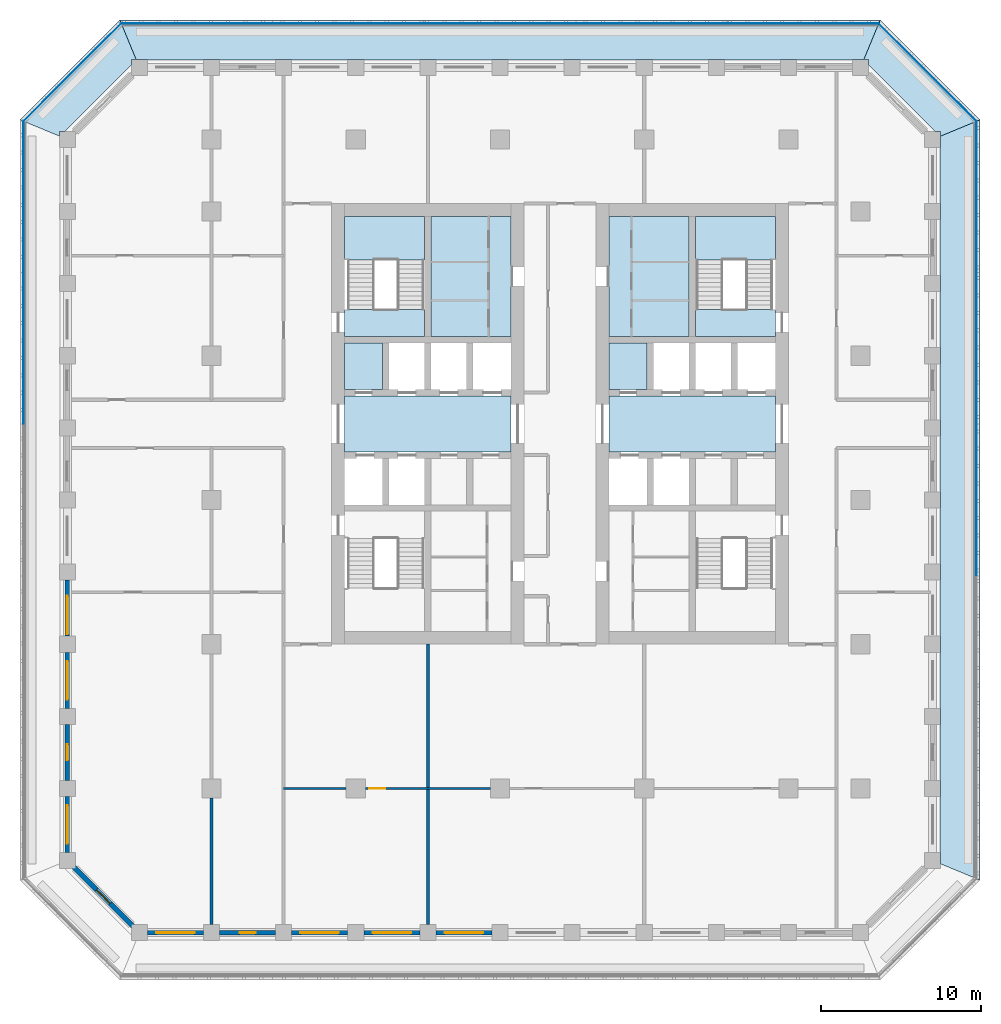
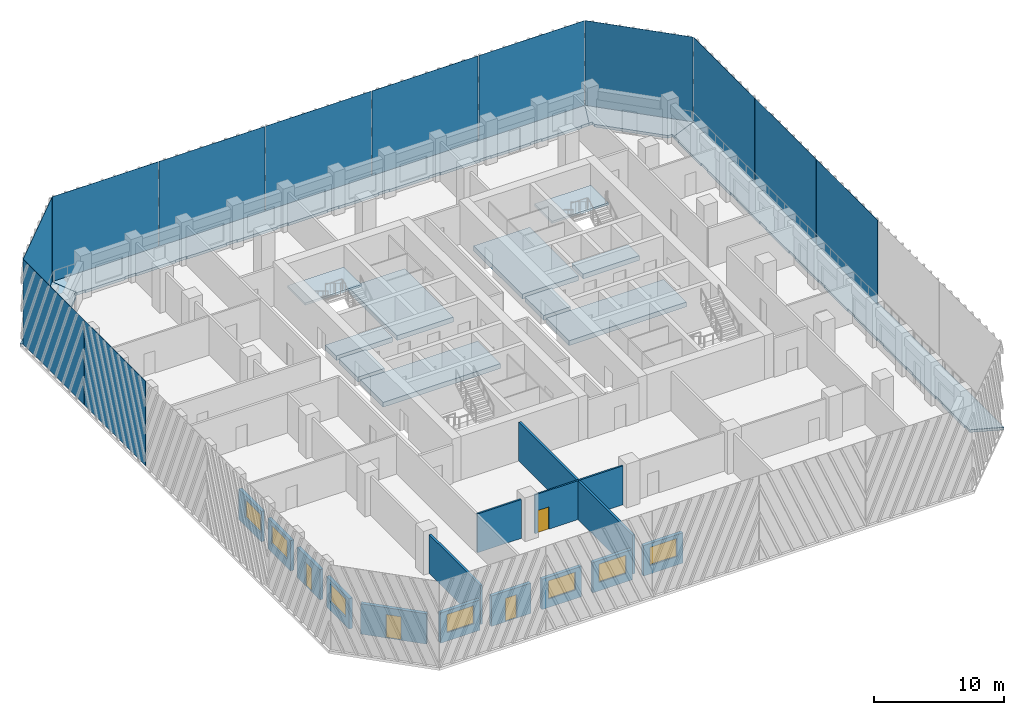
# One storey, part 2 of 16: 14 slabs, 14 walls, 12 plates, 7 windows, 4 doors, 11 openings, 2 elements without a shape of their own.
"""IFC4 building model written with IfcOpenShell, lengths in metres."""

from ifc_helpers import new_model, si_unit, direction, frame, frame_2d, origin, origin_2d, place, context, subcontext, project, spatial, polyline, rectangle, outline, extrude, material, layer, layer_set, type_object, element, fill, aggregate, save


model = new_model("IFC4")

# Units and contexts
model_context = context("Model", 3, precision=1e-05, world=origin(), true_north=direction((0.0, 1.0)))
body_context = subcontext(model_context, "Body", "Model", "MODEL_VIEW")
ifc_project = project(units=[si_unit("LENGTHUNIT", "METRE"), si_unit("AREAUNIT", "SQUARE_METRE"), si_unit("VOLUMEUNIT", "CUBIC_METRE"), si_unit("PLANEANGLEUNIT", "RADIAN"), si_unit("MASSUNIT", "GRAM", prefix="KILO")], contexts=[model_context])

# Site, building, storey
site_placement = place(None, origin())
site = spatial("IfcSite", under=ifc_project, at=site_placement, CompositionType="ELEMENT")
building_placement = place(site_placement, origin())
building = spatial("IfcBuilding", under=site, at=building_placement, Name="Corbel Stack Research Tower", CompositionType="ELEMENT")
storey_placement = place(building_placement, frame((0.0, 0.0, 173.199951171875)))
storey = spatial("IfcBuildingStorey", under=building, at=storey_placement, Name="L39", CompositionType="ELEMENT", Elevation=173.199951171875)

# Plates
ifc_material_1 = material(Name="Fritted glass", Category="glass")
ifc_layer_1 = layer(ifc_material_1, 0.02490234375)
ifc_layer_set_1 = layer_set([ifc_layer_1], Name="Fritted glass")
plate_type = type_object("IfcPlateType", Name="Fritted glass panel 25", PredefinedType="SHEET", material=ifc_layer_set_1)
for number, where, z_axis, x_axis, name in (
    (1, (29.737548828125, 0.0, 0.0), (0.0, 0.0, 1.0), (0.0, 1.0, 0.0), "Fritted glass L39 E3"),
    (2, (29.737548828125, 9.45556640625, 0.0), (0.0, 0.0, 1.0), (0.0, 1.0, 0.0), "Fritted glass L39 E4"),
    (3, (29.737548828125, 18.911376953125, 0.0), (0.0, 0.0, 1.0), (0.0, 1.0, 0.0), "Fritted glass L39 E5"),
):
    element("IfcPlate", number, at=place(storey_placement, frame(where, z_axis=z_axis, x_axis=x_axis)), inside=storey, type_object=plate_type, Name=name, PredefinedType="SHEET", context=body_context, shape_type="SweptSolid", body=[
        extrude(rectangle(XDim=9.3955078125, YDim=0.02490234375, at=origin_2d()), origin(), (0.0, 0.0, 1.0), 7.949951171875),
    ])
plate_1_placement = place(storey_placement, frame((26.685791015625, 26.685791015625, 0.0), z_axis=(0.0, 0.0, 1.0), x_axis=(-0.707106781187, 0.707106781187, 0.0)))
element("IfcPlate", 4, at=plate_1_placement, inside=storey, type_object=plate_type, Name="Fritted glass L39 NE1", PredefinedType="SHEET", context=body_context, shape_type="SweptSolid", body=[
    extrude(rectangle(XDim=8.58203125, YDim=0.02490234375, at=origin_2d()), origin(), (0.0, 0.0, 1.0), 7.949951171875),
])
for number, where, z_axis, x_axis, name in (
    (5, (18.911376953125, 29.737548828125, 0.0), (0.0, 0.0, 1.0), (-1.0, 0.0, 0.0), "Fritted glass L39 N1"),
    (6, (9.45556640625, 29.737548828125, 0.0), (0.0, 0.0, 1.0), (-1.0, 0.0, 0.0), "Fritted glass L39 N2"),
    (7, (0.0, 29.737548828125, 0.0), (0.0, 0.0, 1.0), (-1.0, 0.0, 0.0), "Fritted glass L39 N3"),
    (8, (-9.45556640625, 29.737548828125, 0.0), (0.0, 0.0, 1.0), (-1.0, 0.0, 0.0), "Fritted glass L39 N4"),
    (9, (-18.911376953125, 29.737548828125, 0.0), (0.0, 0.0, 1.0), (-1.0, 0.0, 0.0), "Fritted glass L39 N5"),
):
    element("IfcPlate", number, at=place(storey_placement, frame(where, z_axis=z_axis, x_axis=x_axis)), inside=storey, type_object=plate_type, Name=name, PredefinedType="SHEET", context=body_context, shape_type="SweptSolid", body=[
        extrude(rectangle(XDim=9.3955078125, YDim=0.02490234375, at=origin_2d()), origin(), (0.0, 0.0, 1.0), 7.949951171875),
    ])
plate_2_placement = place(storey_placement, frame((-26.685791015625, 26.685791015625, 0.0), z_axis=(0.0, 0.0, 1.0), x_axis=(-0.707106781187, -0.707106781187, 0.0)))
element("IfcPlate", 10, at=plate_2_placement, inside=storey, type_object=plate_type, Name="Fritted glass L39 NW1", PredefinedType="SHEET", context=body_context, shape_type="SweptSolid", body=[
    extrude(rectangle(XDim=8.58203125, YDim=0.02490234375, at=origin_2d()), origin(), (0.0, 0.0, 1.0), 7.949951171875),
])
for number, where, z_axis, x_axis, name in (
    (11, (-29.737548828125, 18.911376953125, 0.0), (0.0, 0.0, 1.0), (0.0, -1.0, 0.0), "Fritted glass L39 W1"),
    (12, (-29.737548828125, 9.45556640625, 0.0), (0.0, 0.0, 1.0), (0.0, -1.0, 0.0), "Fritted glass L39 W2"),
):
    element("IfcPlate", number, at=place(storey_placement, frame(where, z_axis=z_axis, x_axis=x_axis)), inside=storey, type_object=plate_type, Name=name, PredefinedType="SHEET", context=body_context, shape_type="SweptSolid", body=[
        extrude(rectangle(XDim=9.3955078125, YDim=0.02490234375, at=origin_2d()), origin(), (0.0, 0.0, 1.0), 7.949951171875),
    ])

# Slabs
ifc_material_2 = material(Name="Concrete C45/55", Category="concrete")
ifc_layer_2 = layer(ifc_material_2, 0.25)
ifc_layer_set_2 = layer_set([ifc_layer_2], Name="Concrete C45/55")
slab_type_1 = type_object("IfcSlabType", Name="PT balcony slab 250 C45/55", PredefinedType="FLOOR", material=ifc_layer_set_2)
slab_1_placement = place(storey_placement, frame((0.0, 0.0, -0.25)))
element("IfcSlab", 13, at=slab_1_placement, inside=storey, type_object=slab_type_1, Name="Loggia slab L39 E", PredefinedType="FLOOR", context=body_context, shape_type="SweptSolid", body=[
    extrude(outline(polyline([(27.5, 22.70703125), (27.5, 22.0), (27.449951171875, 22.0), (27.449951171875, 18.5), (27.5, 18.5), (27.5, 17.5), (27.449951171875, 17.5), (27.449951171875, 14.0), (27.5, 14.0), (27.5, 13.0), (27.449951171875, 13.0), (27.449951171875, 9.5), (27.5, 9.5), (27.5, 8.5), (27.449951171875, 8.5), (27.449951171875, 5.0), (27.5, 5.0), (27.5, 4.0), (27.449951171875, 4.0), (27.449951171875, 0.5), (27.5, 0.5), (27.5, -0.5), (27.449951171875, -0.5), (27.449951171875, -4.0), (27.5, -4.0), (27.5, -5.0), (27.449951171875, -5.0), (27.449951171875, -8.5), (27.5, -8.5), (27.5, -9.5), (27.449951171875, -9.5), (27.449951171875, -13.0), (27.5, -13.0), (27.5, -14.0), (27.449951171875, -14.0), (27.449951171875, -17.5), (27.5, -17.5), (27.5, -18.5), (27.449951171875, -18.5), (27.449951171875, -22.0), (27.5, -22.0), (27.5, -22.70703125), (29.949951171875, -23.721923828125), (29.949951171875, 23.721923828125), (27.5, 22.70703125)])), origin(), (0.0, 0.0, 1.0), 0.25),
])
slab_2_placement = place(storey_placement, frame((0.0, 0.0, -0.25)))
element("IfcSlab", 14, at=slab_2_placement, inside=storey, type_object=slab_type_1, Name="Loggia slab L39 NE", PredefinedType="FLOOR", context=body_context, shape_type="SweptSolid", body=[
    extrude(outline(polyline([(22.70703125, 27.5), (23.0, 27.5), (23.0, 27.136474609375), (27.136474609375, 23.0), (27.5, 23.0), (27.5, 22.70703125), (29.949951171875, 23.721923828125), (23.721923828125, 29.949951171875), (22.70703125, 27.5)])), origin(), (0.0, 0.0, 1.0), 0.25),
])
slab_3_placement = place(storey_placement, frame((0.0, 0.0, -0.25)))
element("IfcSlab", 15, at=slab_3_placement, inside=storey, type_object=slab_type_1, Name="Loggia slab L39 N", PredefinedType="FLOOR", context=body_context, shape_type="SweptSolid", body=[
    extrude(outline(polyline([(-22.70703125, 27.5), (-22.0, 27.5), (-22.0, 27.449951171875), (-18.5, 27.449951171875), (-18.5, 27.5), (-17.5, 27.5), (-17.5, 27.449951171875), (-14.0, 27.449951171875), (-14.0, 27.5), (-13.0, 27.5), (-13.0, 27.449951171875), (-9.5, 27.449951171875), (-9.5, 27.5), (-8.5, 27.5), (-8.5, 27.449951171875), (-5.0, 27.449951171875), (-5.0, 27.5), (-4.0, 27.5), (-4.0, 27.449951171875), (-0.5, 27.449951171875), (-0.5, 27.5), (0.5, 27.5), (0.5, 27.449951171875), (4.0, 27.449951171875), (4.0, 27.5), (5.0, 27.5), (5.0, 27.449951171875), (8.5, 27.449951171875), (8.5, 27.5), (9.5, 27.5), (9.5, 27.449951171875), (13.0, 27.449951171875), (13.0, 27.5), (14.0, 27.5), (14.0, 27.449951171875), (17.5, 27.449951171875), (17.5, 27.5), (18.5, 27.5), (18.5, 27.449951171875), (22.0, 27.449951171875), (22.0, 27.5), (22.70703125, 27.5), (23.721923828125, 29.949951171875), (-23.721923828125, 29.949951171875), (-22.70703125, 27.5)])), origin(), (0.0, 0.0, 1.0), 0.25),
])
slab_4_placement = place(storey_placement, frame((0.0, 0.0, -0.25)))
element("IfcSlab", 16, at=slab_4_placement, inside=storey, type_object=slab_type_1, Name="Loggia slab L39 NW", PredefinedType="FLOOR", context=body_context, shape_type="SweptSolid", body=[
    extrude(outline(polyline([(-27.5, 22.70703125), (-27.5, 23.0), (-27.136474609375, 23.0), (-23.0, 27.136474609375), (-23.0, 27.5), (-22.70703125, 27.5), (-23.721923828125, 29.949951171875), (-29.949951171875, 23.721923828125), (-27.5, 22.70703125)])), origin(), (0.0, 0.0, 1.0), 0.25),
])
ifc_material_3 = material(Name="Concrete C45/55", Category="concrete")
ifc_layer_3 = layer(ifc_material_3, 0.449951171875)
ifc_layer_set_3 = layer_set([ifc_layer_3], Name="Concrete C45/55")
slab_type_2 = type_object("IfcSlabType", Name="PT-450", PredefinedType="FLOOR", material=ifc_layer_set_3)
slab_5_placement = place(storey_placement, frame((0.0, 0.0, -0.449951171875)))
element("IfcSlab", 17, at=slab_5_placement, inside=storey, type_object=slab_type_2, Name="West core floor L39", PredefinedType="FLOOR", context=body_context, shape_type="SweptSolid", body=[
    extrude(outline(polyline([(0.699951171875, 6.5), (-9.699951171875, 6.5), (-9.699951171875, 3.0), (0.699951171875, 3.0), (0.699951171875, 6.5)])), origin(), (0.0, 0.0, 1.0), 0.449951171875),
])
slab_6_placement = place(storey_placement, frame((0.0, 0.0, -0.449951171875)))
element("IfcSlab", 18, at=slab_6_placement, inside=storey, type_object=slab_type_2, Name="West core floor L39", PredefinedType="FLOOR", context=body_context, shape_type="SweptSolid", body=[
    extrude(outline(polyline([(-9.699951171875, 6.89990234375), (-7.324951171875, 6.89990234375), (-7.324951171875, 9.800048828125), (-9.699951171875, 9.800048828125), (-9.699951171875, 6.89990234375)])), origin(), (0.0, 0.0, 1.0), 0.449951171875),
])
slab_7_placement = place(storey_placement, frame((0.0, 0.0, -0.449951171875)))
element("IfcSlab", 19, at=slab_7_placement, inside=storey, type_object=slab_type_2, Name="West core floor L39", PredefinedType="FLOOR", context=body_context, shape_type="SweptSolid", body=[
    extrude(outline(polyline([(0.699951171875, 17.699951171875), (-4.300048828125, 17.699951171875), (-4.300048828125, 10.199951171875), (0.699951171875, 10.199951171875), (0.699951171875, 17.699951171875)])), origin(), (0.0, 0.0, 1.0), 0.449951171875),
])
slab_8_placement = place(storey_placement, frame((0.0, 0.0, -0.449951171875)))
element("IfcSlab", 20, at=slab_8_placement, inside=storey, type_object=slab_type_2, Name="East core floor L39", PredefinedType="FLOOR", context=body_context, shape_type="SweptSolid", body=[
    extrude(outline(polyline([(17.199951171875, 6.5), (6.800048828125, 6.5), (6.800048828125, 3.0), (17.199951171875, 3.0), (17.199951171875, 6.5)])), origin(), (0.0, 0.0, 1.0), 0.449951171875),
])
slab_9_placement = place(storey_placement, frame((0.0, 0.0, -0.449951171875)))
element("IfcSlab", 21, at=slab_9_placement, inside=storey, type_object=slab_type_2, Name="East core floor L39", PredefinedType="FLOOR", context=body_context, shape_type="SweptSolid", body=[
    extrude(outline(polyline([(6.800048828125, 6.89990234375), (9.175048828125, 6.89990234375), (9.175048828125, 9.800048828125), (6.800048828125, 9.800048828125), (6.800048828125, 6.89990234375)])), origin(), (0.0, 0.0, 1.0), 0.449951171875),
])
slab_10_placement = place(storey_placement, frame((0.0, 0.0, -0.449951171875)))
element("IfcSlab", 22, at=slab_10_placement, inside=storey, type_object=slab_type_2, Name="East core floor L39", PredefinedType="FLOOR", context=body_context, shape_type="SweptSolid", body=[
    extrude(outline(polyline([(6.800048828125, 17.699951171875), (6.800048828125, 10.199951171875), (11.800048828125, 10.199951171875), (11.800048828125, 17.699951171875), (6.800048828125, 17.699951171875)])), origin(), (0.0, 0.0, 1.0), 0.449951171875),
])
slab_11_placement = place(storey_placement, frame((0.0, 0.0, -0.449951171875)))
element("IfcSlab", 23, at=slab_11_placement, inside=storey, type_object=slab_type_2, Name="Stair floor landing ST-W2", PredefinedType="FLOOR", context=body_context, shape_type="SweptSolid", body=[
    extrude(outline(polyline([(-9.699951171875, 10.199951171875), (-4.699951171875, 10.199951171875), (-4.699951171875, 11.89990234375), (-9.699951171875, 11.89990234375), (-9.699951171875, 10.199951171875)])), origin(), (0.0, 0.0, 1.0), 0.449951171875),
])
slab_12_placement = place(storey_placement, frame((0.0, 0.0, -0.449951171875)))
element("IfcSlab", 24, at=slab_12_placement, inside=storey, type_object=slab_type_2, Name="Stair floor landing ST-E2", PredefinedType="FLOOR", context=body_context, shape_type="SweptSolid", body=[
    extrude(outline(polyline([(12.199951171875, 10.199951171875), (17.199951171875, 10.199951171875), (17.199951171875, 11.89990234375), (12.199951171875, 11.89990234375), (12.199951171875, 10.199951171875)])), origin(), (0.0, 0.0, 1.0), 0.449951171875),
])

# Stair, slab
ifc_material_4 = material(Name="Concrete C40/50", Category="concrete")
stair_type = type_object("IfcStairType", Name="Exit stair 24 risers", PredefinedType="HALF_TURN_STAIR", material=ifc_material_4)
stair_1_placement = place(storey_placement, origin())
stair_1 = element("IfcStair", 25, at=stair_1_placement, inside=storey, type_object=stair_type, Name="L39 Exit stair ST-W2", PredefinedType="HALF_TURN_STAIR")
ifc_material_5 = material(Name="Concrete C40/50", Category="concrete")
ifc_layer_4 = layer(ifc_material_5, 0.199951171875)
ifc_layer_set_4 = layer_set([ifc_layer_4], Name="Concrete C40/50")
slab_type_3 = type_object("IfcSlabType", Name="Stair landing 200 C40/50", PredefinedType="LANDING", material=ifc_layer_set_4)
slab_13_placement = place(storey_placement, frame((0.0, 0.0, 1.85009765625)))
slab_13 = element("IfcSlab", 26, at=slab_13_placement, type_object=slab_type_3, Name="ST-W2 landing 1", PredefinedType="LANDING", context=body_context, shape_type="SweptSolid", body=[
    extrude(outline(polyline([(-9.699951171875, 14.97998046875), (-9.699951171875, 17.699951171875), (-4.699951171875, 17.699951171875), (-4.699951171875, 14.97998046875), (-9.699951171875, 14.97998046875)])), origin(), (0.0, 0.0, 1.0), 0.199951171875),
])
aggregate(stair_1, [slab_13])

stair_2_placement = place(storey_placement, origin())
stair_2 = element("IfcStair", 27, at=stair_2_placement, inside=storey, type_object=stair_type, Name="L39 Exit stair ST-E2", PredefinedType="HALF_TURN_STAIR")
slab_14_placement = place(storey_placement, frame((0.0, 0.0, 1.85009765625)))
slab_14 = element("IfcSlab", 28, at=slab_14_placement, type_object=slab_type_3, Name="ST-E2 landing 1", PredefinedType="LANDING", context=body_context, shape_type="SweptSolid", body=[
    extrude(outline(polyline([(12.199951171875, 14.97998046875), (12.199951171875, 17.699951171875), (17.199951171875, 17.699951171875), (17.199951171875, 14.97998046875), (12.199951171875, 14.97998046875)])), origin(), (0.0, 0.0, 1.0), 0.199951171875),
])
aggregate(stair_2, [slab_14])

# Walls
ifc_material_6 = material(Name="Fire-rated gypsum board partition on steel studs", Category="steel")
ifc_layer_5 = layer(ifc_material_6, 0.199951171875)
ifc_layer_set_5 = layer_set([ifc_layer_5], Name="Fire-rated gypsum board partition on steel studs")
wall_type_1 = type_object("IfcWallType", Name="Fire-rated partition 200 EI 60", PredefinedType="PARTITIONING", material=ifc_layer_set_5)
wall_1_placement = place(storey_placement, frame((-18.0, -26.5, 0.0), z_axis=(0.0, 0.0, 1.0), x_axis=(0.0, 1.0, 0.0)))
element("IfcWall", 29, at=wall_1_placement, inside=storey, type_object=wall_type_1, Name="Partition L39-001", PredefinedType="PARTITIONING", context=body_context, shape_type="SweptSolid", body=[
    extrude(rectangle(XDim=7.89990234375, YDim=0.199951171875, at=frame_2d((3.949951171875, 0.0))), origin(), (0.0, 0.0, 1.0), 3.650146484375),
])
wall_2_placement = place(storey_placement, frame((-4.5, -26.5, 0.0), z_axis=(0.0, 0.0, 1.0), x_axis=(0.0, 1.0, 0.0)))
element("IfcWall", 30, at=wall_2_placement, inside=storey, type_object=wall_type_1, Name="Partition L39-011", PredefinedType="PARTITIONING", context=body_context, shape_type="SweptSolid", body=[
    extrude(rectangle(XDim=17.5, YDim=0.199951171875, at=frame_2d((8.75, 0.0))), origin(), (0.0, 0.0, 1.0), 3.650146484375),
])
ifc_material_7 = material(Name="Gypsum board partition on steel studs", Category="steel")
ifc_layer_6 = layer(ifc_material_7, 0.14990234375)
ifc_layer_set_6 = layer_set([ifc_layer_6], Name="Gypsum board partition on steel studs")
wall_type_2 = type_object("IfcWallType", Name="Partition 150", PredefinedType="PARTITIONING", material=ifc_layer_set_6)
wall_3_placement = place(storey_placement, frame((-13.5, -18.0, 0.0), z_axis=(0.0, 0.0, 1.0), x_axis=(1.0, 0.0, 0.0)))
element("IfcWall", 31, at=wall_3_placement, inside=storey, type_object=wall_type_2, Name="Partition L39-022", PredefinedType="PARTITIONING", context=body_context, shape_type="SweptSolid", body=[
    extrude(rectangle(XDim=3.89990234375, YDim=0.14990234375, at=frame_2d((1.949951171875, 0.0))), origin(), (0.0, 0.0, 1.0), 3.650146484375),
])

# Wall, opening, door
wall_4_placement = place(storey_placement, frame((-0.60009765625, -18.0, 0.0), z_axis=(0.0, 0.0, 1.0), x_axis=(-1.0, 0.0, 0.0)))
wall_4 = element("IfcWall", 32, at=wall_4_placement, inside=storey, type_object=wall_type_2, Name="Partition L39-023", PredefinedType="PARTITIONING", context=body_context, shape_type="SweptSolid", body=[
    extrude(rectangle(XDim=7.7998046875, YDim=0.14990234375, at=frame_2d((3.89990234375, 0.0))), origin(), (0.0, 0.0, 1.0), 3.650146484375),
])
opening_1_placement = place(wall_4_placement, frame((6.550048828125, 0.0, 0.0)))
opening_1 = element("IfcOpeningElement", 33, at=opening_1_placement, cuts=wall_4, Name="Opening B5V1-001", PredefinedType="OPENING", context=body_context, shape_type="SweptSolid", body=[
    extrude(rectangle(XDim=1.0, YDim=2.10009765625, at=frame_2d((0.5, 1.050048828125))), frame((0.0, 0.0849609375, 0.0), z_axis=(0.0, -1.0, 0.0), x_axis=(1.0, 0.0, 0.0)), (0.0, 0.0, 1.0), 0.169921875),
])
ifc_material_8 = material(Name="Painted timber door", Category="wood")
door_type_1 = type_object("IfcDoorType", Name="Single door 1000 x 2100", OperationType="NOTDEFINED", PredefinedType="DOOR", material=ifc_material_8)
door_1_placement = place(opening_1_placement, origin())
door_1 = element("IfcDoor", 34, at=door_1_placement, inside=storey, type_object=door_type_1, Name="Door B5V1-001", OperationType="SINGLE_SWING_RIGHT", OverallHeight=2.10009765625, OverallWidth=1.0, PredefinedType="DOOR", context=body_context, shape_type="SweptSolid", body=[
    extrude(rectangle(XDim=1.0, YDim=2.10009765625, at=frame_2d((0.5, 1.050048828125))), frame((0.0, 0.02490234375, 0.0), z_axis=(0.0, -1.0, 0.0), x_axis=(1.0, 0.0, 0.0)), (0.0, 0.0, 1.0), 0.050048828125),
])
fill(opening_1, door_1)

# Wall, opening, window
ifc_material_9 = material(Name="Concrete C45/55", Category="concrete")
ifc_layer_7 = layer(ifc_material_9, 0.300048828125)
ifc_layer_set_7 = layer_set([ifc_layer_7], Name="Concrete C45/55")
wall_type_3 = type_object("IfcWallType", Name="Terracotta-faced concrete wall 300", PredefinedType="SOLIDWALL", material=ifc_layer_set_7)
wall_5_placement = place(storey_placement, frame((-18.5, -27.0, 0.0), z_axis=(0.0, 0.0, 1.0), x_axis=(-1.0, 0.0, 0.0)))
wall_5 = element("IfcWall", 35, at=wall_5_placement, inside=storey, type_object=wall_type_3, Name="Facade wall L39 S01", PredefinedType="SOLIDWALL", context=body_context, shape_type="SweptSolid", body=[
    extrude(rectangle(XDim=3.5, YDim=0.300048828125, at=frame_2d((1.75, 0.0))), origin(), (0.0, 0.0, 1.0), 2.85009765625),
])
opening_2_placement = place(wall_5_placement, frame((0.550048828125, 0.0, 0.800048828125)))
opening_2 = element("IfcOpeningElement", 36, at=opening_2_placement, cuts=wall_5, Name="Opening W1", PredefinedType="OPENING", context=body_context, shape_type="SweptSolid", body=[
    extrude(rectangle(XDim=2.39990234375, YDim=1.699951171875, at=frame_2d((1.199951171875, 0.85009765625))), frame((0.0, 0.159912109375, 0.0), z_axis=(0.0, -1.0, 0.0), x_axis=(1.0, 0.0, 0.0)), (0.0, 0.0, 1.0), 0.320068359375),
])
ifc_material_10 = material(Name="Aluminium frame, clear double glazing", Category="aluminium")
window_type = type_object("IfcWindowType", Name="Window W1 2400 x 1700", PartitioningType="SINGLE_PANEL", PredefinedType="WINDOW", material=ifc_material_10)
window_1_placement = place(opening_2_placement, origin())
window_1 = element("IfcWindow", 37, at=window_1_placement, inside=storey, type_object=window_type, Name="Window W1 L39 S01", OverallHeight=1.699951171875, OverallWidth=2.39990234375, PartitioningType="SINGLE_PANEL", PredefinedType="WINDOW", context=body_context, shape_type="SweptSolid", body=[
    extrude(rectangle(XDim=2.39990234375, YDim=1.699951171875, at=frame_2d((1.199951171875, 0.85009765625))), frame((0.0, 0.030029296875, 0.0), z_axis=(0.0, -1.0, 0.0), x_axis=(1.0, 0.0, 0.0)), (0.0, 0.0, 1.0), 0.06005859375),
])
fill(opening_2, window_1)

# Wall, opening, door
wall_6_placement = place(storey_placement, frame((-14.0, -27.0, 0.0), z_axis=(0.0, 0.0, 1.0), x_axis=(-1.0, 0.0, 0.0)))
wall_6 = element("IfcWall", 38, at=wall_6_placement, inside=storey, type_object=wall_type_3, Name="Facade wall L39 S02", PredefinedType="SOLIDWALL", context=body_context, shape_type="SweptSolid", body=[
    extrude(rectangle(XDim=3.5, YDim=0.300048828125, at=frame_2d((1.75, 0.0))), origin(), (0.0, 0.0, 1.0), 2.85009765625),
])
opening_3_placement = place(wall_6_placement, frame((1.25, 0.0, 0.0)))
opening_3 = element("IfcOpeningElement", 39, at=opening_3_placement, cuts=wall_6, Name="Opening L39-B01", PredefinedType="OPENING", context=body_context, shape_type="SweptSolid", body=[
    extrude(rectangle(XDim=1.0, YDim=2.199951171875, at=frame_2d((0.5, 1.10009765625))), frame((0.0, 0.159912109375, 0.0), z_axis=(0.0, -1.0, 0.0), x_axis=(1.0, 0.0, 0.0)), (0.0, 0.0, 1.0), 0.320068359375),
])
ifc_material_11 = material(Name="Aluminium frame, clear double glazing", Category="aluminium")
door_type_2 = type_object("IfcDoorType", Name="Balcony door BD1 1000 x 2200", OperationType="NOTDEFINED", PredefinedType="DOOR", material=ifc_material_11)
door_2_placement = place(opening_3_placement, origin())
door_2 = element("IfcDoor", 40, at=door_2_placement, inside=storey, type_object=door_type_2, Name="Balcony door L39-B01", OperationType="SINGLE_SWING_LEFT", OverallHeight=2.199951171875, OverallWidth=1.0, PredefinedType="DOOR", context=body_context, shape_type="SweptSolid", body=[
    extrude(rectangle(XDim=1.0, YDim=2.199951171875, at=frame_2d((0.5, 1.10009765625))), frame((0.0, 0.02490234375, 0.0), z_axis=(0.0, -1.0, 0.0), x_axis=(1.0, 0.0, 0.0)), (0.0, 0.0, 1.0), 0.050048828125),
])
fill(opening_3, door_2)

# Wall, opening, window
wall_7_placement = place(storey_placement, frame((-9.5, -27.0, 0.0), z_axis=(0.0, 0.0, 1.0), x_axis=(-1.0, 0.0, 0.0)))
wall_7 = element("IfcWall", 41, at=wall_7_placement, inside=storey, type_object=wall_type_3, Name="Facade wall L39 S03", PredefinedType="SOLIDWALL", context=body_context, shape_type="SweptSolid", body=[
    extrude(rectangle(XDim=3.5, YDim=0.300048828125, at=frame_2d((1.75, 0.0))), origin(), (0.0, 0.0, 1.0), 2.85009765625),
])
opening_4_placement = place(wall_7_placement, frame((0.550048828125, 0.0, 0.800048828125)))
opening_4 = element("IfcOpeningElement", 42, at=opening_4_placement, cuts=wall_7, Name="Opening W1", PredefinedType="OPENING", context=body_context, shape_type="SweptSolid", body=[
    extrude(rectangle(XDim=2.39990234375, YDim=1.699951171875, at=frame_2d((1.199951171875, 0.85009765625))), frame((0.0, 0.159912109375, 0.0), z_axis=(0.0, -1.0, 0.0), x_axis=(1.0, 0.0, 0.0)), (0.0, 0.0, 1.0), 0.320068359375),
])
window_2_placement = place(opening_4_placement, origin())
window_2 = element("IfcWindow", 43, at=window_2_placement, inside=storey, type_object=window_type, Name="Window W1 L39 S03", OverallHeight=1.699951171875, OverallWidth=2.39990234375, PartitioningType="SINGLE_PANEL", PredefinedType="WINDOW", context=body_context, shape_type="SweptSolid", body=[
    extrude(rectangle(XDim=2.39990234375, YDim=1.699951171875, at=frame_2d((1.199951171875, 0.85009765625))), frame((0.0, 0.030029296875, 0.0), z_axis=(0.0, -1.0, 0.0), x_axis=(1.0, 0.0, 0.0)), (0.0, 0.0, 1.0), 0.06005859375),
])
fill(opening_4, window_2)

wall_8_placement = place(storey_placement, frame((-5.0, -27.0, 0.0), z_axis=(0.0, 0.0, 1.0), x_axis=(-1.0, 0.0, 0.0)))
wall_8 = element("IfcWall", 44, at=wall_8_placement, inside=storey, type_object=wall_type_3, Name="Facade wall L39 S04", PredefinedType="SOLIDWALL", context=body_context, shape_type="SweptSolid", body=[
    extrude(rectangle(XDim=3.5, YDim=0.300048828125, at=frame_2d((1.75, 0.0))), origin(), (0.0, 0.0, 1.0), 2.85009765625),
])
opening_5_placement = place(wall_8_placement, frame((0.550048828125, 0.0, 0.800048828125)))
opening_5 = element("IfcOpeningElement", 45, at=opening_5_placement, cuts=wall_8, Name="Opening W1", PredefinedType="OPENING", context=body_context, shape_type="SweptSolid", body=[
    extrude(rectangle(XDim=2.39990234375, YDim=1.699951171875, at=frame_2d((1.199951171875, 0.85009765625))), frame((0.0, 0.159912109375, 0.0), z_axis=(0.0, -1.0, 0.0), x_axis=(1.0, 0.0, 0.0)), (0.0, 0.0, 1.0), 0.320068359375),
])
window_3_placement = place(opening_5_placement, origin())
window_3 = element("IfcWindow", 46, at=window_3_placement, inside=storey, type_object=window_type, Name="Window W1 L39 S04", OverallHeight=1.699951171875, OverallWidth=2.39990234375, PartitioningType="SINGLE_PANEL", PredefinedType="WINDOW", context=body_context, shape_type="SweptSolid", body=[
    extrude(rectangle(XDim=2.39990234375, YDim=1.699951171875, at=frame_2d((1.199951171875, 0.85009765625))), frame((0.0, 0.030029296875, 0.0), z_axis=(0.0, -1.0, 0.0), x_axis=(1.0, 0.0, 0.0)), (0.0, 0.0, 1.0), 0.06005859375),
])
fill(opening_5, window_3)

wall_9_placement = place(storey_placement, frame((-0.5, -27.0, 0.0), z_axis=(0.0, 0.0, 1.0), x_axis=(-1.0, 0.0, 0.0)))
wall_9 = element("IfcWall", 47, at=wall_9_placement, inside=storey, type_object=wall_type_3, Name="Facade wall L39 S05", PredefinedType="SOLIDWALL", context=body_context, shape_type="SweptSolid", body=[
    extrude(rectangle(XDim=3.5, YDim=0.300048828125, at=frame_2d((1.75, 0.0))), origin(), (0.0, 0.0, 1.0), 2.85009765625),
])
opening_6_placement = place(wall_9_placement, frame((0.550048828125, 0.0, 0.800048828125)))
opening_6 = element("IfcOpeningElement", 48, at=opening_6_placement, cuts=wall_9, Name="Opening W1", PredefinedType="OPENING", context=body_context, shape_type="SweptSolid", body=[
    extrude(rectangle(XDim=2.39990234375, YDim=1.699951171875, at=frame_2d((1.199951171875, 0.85009765625))), frame((0.0, 0.159912109375, 0.0), z_axis=(0.0, -1.0, 0.0), x_axis=(1.0, 0.0, 0.0)), (0.0, 0.0, 1.0), 0.320068359375),
])
window_4_placement = place(opening_6_placement, origin())
window_4 = element("IfcWindow", 49, at=window_4_placement, inside=storey, type_object=window_type, Name="Window W1 L39 S05", OverallHeight=1.699951171875, OverallWidth=2.39990234375, PartitioningType="SINGLE_PANEL", PredefinedType="WINDOW", context=body_context, shape_type="SweptSolid", body=[
    extrude(rectangle(XDim=2.39990234375, YDim=1.699951171875, at=frame_2d((1.199951171875, 0.85009765625))), frame((0.0, 0.030029296875, 0.0), z_axis=(0.0, -1.0, 0.0), x_axis=(1.0, 0.0, 0.0)), (0.0, 0.0, 1.0), 0.06005859375),
])
fill(opening_6, window_4)

wall_10_placement = place(storey_placement, frame((-27.0, -8.5, 0.0), z_axis=(0.0, 0.0, 1.0), x_axis=(0.0, 1.0, 0.0)))
wall_10 = element("IfcWall", 50, at=wall_10_placement, inside=storey, type_object=wall_type_3, Name="Facade wall L39 W07", PredefinedType="SOLIDWALL", context=body_context, shape_type="SweptSolid", body=[
    extrude(rectangle(XDim=3.5, YDim=0.300048828125, at=frame_2d((1.75, 0.0))), origin(), (0.0, 0.0, 1.0), 2.85009765625),
])
opening_7_placement = place(wall_10_placement, frame((0.112548828125, 0.0, 0.800048828125)))
opening_7 = element("IfcOpeningElement", 51, at=opening_7_placement, cuts=wall_10, Name="Opening W1", PredefinedType="OPENING", context=body_context, shape_type="SweptSolid", body=[
    extrude(rectangle(XDim=2.39990234375, YDim=1.699951171875, at=frame_2d((1.199951171875, 0.85009765625))), frame((0.0, 0.159912109375, 0.0), z_axis=(0.0, -1.0, 0.0), x_axis=(1.0, 0.0, 0.0)), (0.0, 0.0, 1.0), 0.320068359375),
])
window_5_placement = place(opening_7_placement, origin())
window_5 = element("IfcWindow", 52, at=window_5_placement, inside=storey, type_object=window_type, Name="Window W1 L39 W07", OverallHeight=1.699951171875, OverallWidth=2.39990234375, PartitioningType="SINGLE_PANEL", PredefinedType="WINDOW", context=body_context, shape_type="SweptSolid", body=[
    extrude(rectangle(XDim=2.39990234375, YDim=1.699951171875, at=frame_2d((1.199951171875, 0.85009765625))), frame((0.0, 0.030029296875, 0.0), z_axis=(0.0, -1.0, 0.0), x_axis=(1.0, 0.0, 0.0)), (0.0, 0.0, 1.0), 0.06005859375),
])
fill(opening_7, window_5)

wall_11_placement = place(storey_placement, frame((-27.0, -13.0, 0.0), z_axis=(0.0, 0.0, 1.0), x_axis=(0.0, 1.0, 0.0)))
wall_11 = element("IfcWall", 53, at=wall_11_placement, inside=storey, type_object=wall_type_3, Name="Facade wall L39 W08", PredefinedType="SOLIDWALL", context=body_context, shape_type="SweptSolid", body=[
    extrude(rectangle(XDim=3.5, YDim=0.300048828125, at=frame_2d((1.75, 0.0))), origin(), (0.0, 0.0, 1.0), 2.85009765625),
])
opening_8_placement = place(wall_11_placement, frame((0.550048828125, 0.0, 0.800048828125)))
opening_8 = element("IfcOpeningElement", 54, at=opening_8_placement, cuts=wall_11, Name="Opening W1", PredefinedType="OPENING", context=body_context, shape_type="SweptSolid", body=[
    extrude(rectangle(XDim=2.39990234375, YDim=1.699951171875, at=frame_2d((1.199951171875, 0.85009765625))), frame((0.0, 0.159912109375, 0.0), z_axis=(0.0, -1.0, 0.0), x_axis=(1.0, 0.0, 0.0)), (0.0, 0.0, 1.0), 0.320068359375),
])
window_6_placement = place(opening_8_placement, origin())
window_6 = element("IfcWindow", 55, at=window_6_placement, inside=storey, type_object=window_type, Name="Window W1 L39 W08", OverallHeight=1.699951171875, OverallWidth=2.39990234375, PartitioningType="SINGLE_PANEL", PredefinedType="WINDOW", context=body_context, shape_type="SweptSolid", body=[
    extrude(rectangle(XDim=2.39990234375, YDim=1.699951171875, at=frame_2d((1.199951171875, 0.85009765625))), frame((0.0, 0.030029296875, 0.0), z_axis=(0.0, -1.0, 0.0), x_axis=(1.0, 0.0, 0.0)), (0.0, 0.0, 1.0), 0.06005859375),
])
fill(opening_8, window_6)

# Wall, opening, door
wall_12_placement = place(storey_placement, frame((-27.0, -17.5, 0.0), z_axis=(0.0, 0.0, 1.0), x_axis=(0.0, 1.0, 0.0)))
wall_12 = element("IfcWall", 56, at=wall_12_placement, inside=storey, type_object=wall_type_3, Name="Facade wall L39 W09", PredefinedType="SOLIDWALL", context=body_context, shape_type="SweptSolid", body=[
    extrude(rectangle(XDim=3.5, YDim=0.300048828125, at=frame_2d((1.75, 0.0))), origin(), (0.0, 0.0, 1.0), 2.85009765625),
])
opening_9_placement = place(wall_12_placement, frame((1.25, 0.0, 0.0)))
opening_9 = element("IfcOpeningElement", 57, at=opening_9_placement, cuts=wall_12, Name="Opening L39-B11", PredefinedType="OPENING", context=body_context, shape_type="SweptSolid", body=[
    extrude(rectangle(XDim=1.0, YDim=2.199951171875, at=frame_2d((0.5, 1.10009765625))), frame((0.0, 0.159912109375, 0.0), z_axis=(0.0, -1.0, 0.0), x_axis=(1.0, 0.0, 0.0)), (0.0, 0.0, 1.0), 0.320068359375),
])
door_3_placement = place(opening_9_placement, origin())
door_3 = element("IfcDoor", 58, at=door_3_placement, inside=storey, type_object=door_type_2, Name="Balcony door L39-B11", OperationType="SINGLE_SWING_RIGHT", OverallHeight=2.199951171875, OverallWidth=1.0, PredefinedType="DOOR", context=body_context, shape_type="SweptSolid", body=[
    extrude(rectangle(XDim=1.0, YDim=2.199951171875, at=frame_2d((0.5, 1.10009765625))), frame((0.0, 0.02490234375, 0.0), z_axis=(0.0, -1.0, 0.0), x_axis=(1.0, 0.0, 0.0)), (0.0, 0.0, 1.0), 0.050048828125),
])
fill(opening_9, door_3)

# Wall, opening, window
wall_13_placement = place(storey_placement, frame((-27.0, -22.0, 0.0), z_axis=(0.0, 0.0, 1.0), x_axis=(0.0, 1.0, 0.0)))
wall_13 = element("IfcWall", 59, at=wall_13_placement, inside=storey, type_object=wall_type_3, Name="Facade wall L39 W10", PredefinedType="SOLIDWALL", context=body_context, shape_type="SweptSolid", body=[
    extrude(rectangle(XDim=3.5, YDim=0.300048828125, at=frame_2d((1.75, 0.0))), origin(), (0.0, 0.0, 1.0), 2.85009765625),
])
opening_10_placement = place(wall_13_placement, frame((0.550048828125, 0.0, 0.800048828125)))
opening_10 = element("IfcOpeningElement", 60, at=opening_10_placement, cuts=wall_13, Name="Opening W1", PredefinedType="OPENING", context=body_context, shape_type="SweptSolid", body=[
    extrude(rectangle(XDim=2.39990234375, YDim=1.699951171875, at=frame_2d((1.199951171875, 0.85009765625))), frame((0.0, 0.159912109375, 0.0), z_axis=(0.0, -1.0, 0.0), x_axis=(1.0, 0.0, 0.0)), (0.0, 0.0, 1.0), 0.320068359375),
])
window_7_placement = place(opening_10_placement, origin())
window_7 = element("IfcWindow", 61, at=window_7_placement, inside=storey, type_object=window_type, Name="Window W1 L39 W10", OverallHeight=1.699951171875, OverallWidth=2.39990234375, PartitioningType="SINGLE_PANEL", PredefinedType="WINDOW", context=body_context, shape_type="SweptSolid", body=[
    extrude(rectangle(XDim=2.39990234375, YDim=1.699951171875, at=frame_2d((1.199951171875, 0.85009765625))), frame((0.0, 0.030029296875, 0.0), z_axis=(0.0, -1.0, 0.0), x_axis=(1.0, 0.0, 0.0)), (0.0, 0.0, 1.0), 0.06005859375),
])
fill(opening_10, window_7)

# Wall, opening, door
wall_14_placement = place(storey_placement, frame((-22.893798828125, -26.606201171875, 0.0), z_axis=(0.0, 0.0, 1.0), x_axis=(-0.707106781187, 0.707106781187, 0.0)))
wall_14 = element("IfcWall", 62, at=wall_14_placement, inside=storey, type_object=wall_type_3, Name="Facade wall L39 SW01", PredefinedType="SOLIDWALL", context=body_context, shape_type="SweptSolid", body=[
    extrude(rectangle(XDim=5.250244140625, YDim=0.300048828125, at=frame_2d((2.625, 0.0))), origin(), (0.0, 0.0, 1.0), 2.85009765625),
])
opening_11_placement = place(wall_14_placement, frame((2.02490234375, 0.0, 0.0)))
opening_11 = element("IfcOpeningElement", 63, at=opening_11_placement, cuts=wall_14, Name="Opening L39-B12", PredefinedType="OPENING", context=body_context, shape_type="SweptSolid", body=[
    extrude(rectangle(XDim=1.199951171875, YDim=2.199951171875, at=frame_2d((0.60009765625, 1.10009765625))), frame((0.0, 0.159912109375, 0.0), z_axis=(0.0, -1.0, 0.0), x_axis=(1.0, 0.0, 0.0)), (0.0, 0.0, 1.0), 0.320068359375),
])
ifc_material_12 = material(Name="Aluminium frame, clear double glazing", Category="aluminium")
door_type_3 = type_object("IfcDoorType", Name="Balcony door BD2 1200 x 2200", OperationType="NOTDEFINED", PredefinedType="DOOR", material=ifc_material_12)
door_4_placement = place(opening_11_placement, origin())
door_4 = element("IfcDoor", 64, at=door_4_placement, inside=storey, type_object=door_type_3, Name="Balcony door L39-B12", OperationType="SINGLE_SWING_RIGHT", OverallHeight=2.199951171875, OverallWidth=1.199951171875, PredefinedType="DOOR", context=body_context, shape_type="SweptSolid", body=[
    extrude(rectangle(XDim=1.199951171875, YDim=2.199951171875, at=frame_2d((0.60009765625, 1.10009765625))), frame((0.0, 0.02490234375, 0.0), z_axis=(0.0, -1.0, 0.0), x_axis=(1.0, 0.0, 0.0)), (0.0, 0.0, 1.0), 0.050048828125),
])
fill(opening_11, door_4)

save(model, "model.ifc")
